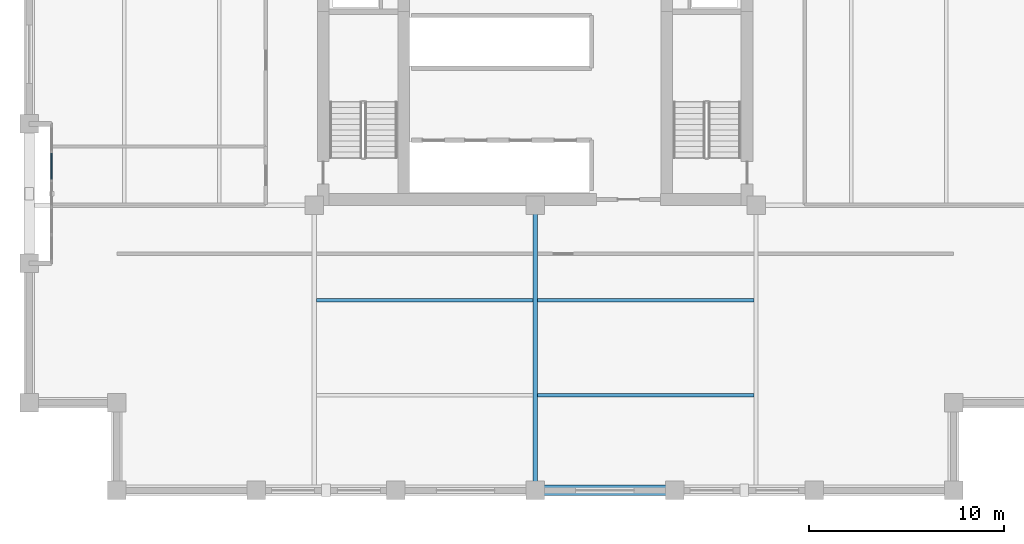
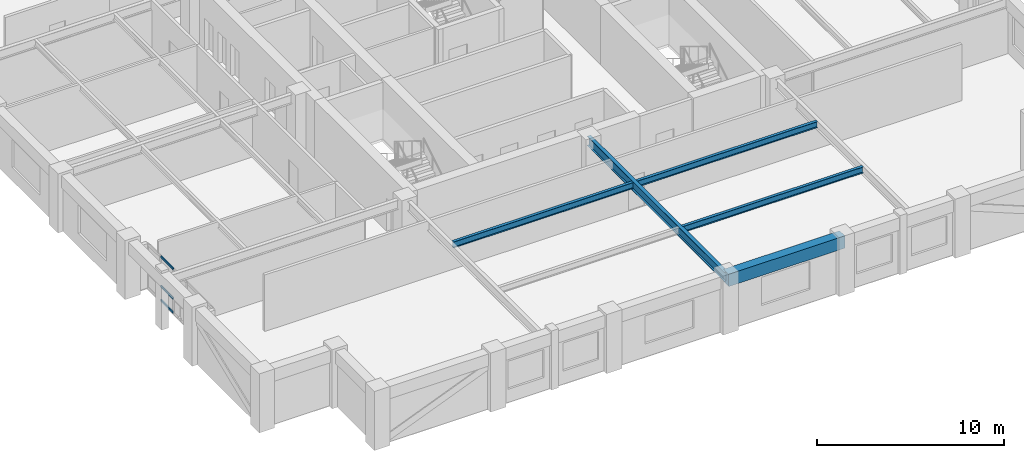
# One storey, part 3 of 11: 5 beams, 3 members, 1 element without a shape of its own.
"""IFC4 building model written with IfcOpenShell, lengths in metres."""

from ifc_helpers import new_model, si_unit, direction, frame, origin, origin_2d, place, context, subcontext, project, spatial, rectangle, i_section, extrude, material, layer, layer_set, material_profile, profile_set, type_object, element, aggregate, save


model = new_model("IFC4")

# Units and contexts
model_context = context("Model", 3, precision=1e-05, world=origin(), true_north=direction((0.0, 1.0)))
body_context = subcontext(model_context, "Body", "Model", "MODEL_VIEW")
ifc_project = project(units=[si_unit("LENGTHUNIT", "METRE"), si_unit("AREAUNIT", "SQUARE_METRE"), si_unit("VOLUMEUNIT", "CUBIC_METRE"), si_unit("PLANEANGLEUNIT", "RADIAN"), si_unit("MASSUNIT", "GRAM", prefix="KILO")], contexts=[model_context])

# Site, building, storey
site_placement = place(None, origin())
site = spatial("IfcSite", under=ifc_project, at=site_placement, CompositionType="ELEMENT")
building_placement = place(site_placement, origin())
building = spatial("IfcBuilding", under=site, at=building_placement, Name="Nhamokura Convention Tower", CompositionType="ELEMENT")
storey_placement = place(building_placement, frame((0.0, 0.0, 168.35009765625)))
storey = spatial("IfcBuildingStorey", under=building, at=storey_placement, Name="L41", CompositionType="ELEMENT", Elevation=168.35009765625)

# Curtain wall, members
ifc_material_1 = material(Name="Anodised bronze aluminium AA6063-T6", Category="aluminium")
ifc_layer = layer(ifc_material_1, 0.159912109375)
ifc_layer_set = layer_set([ifc_layer], Name="CWSystem_ScaleSlot_Zone2")
curtain_wall_type = type_object("IfcCurtainWallType", Name="CWSystem_ScaleSlot_Zone2", PredefinedType="NOTDEFINED", material=ifc_layer_set)
curtain_wall_placement = place(storey_placement, origin())
curtain_wall = element("IfcCurtainWall", 1, at=curtain_wall_placement, inside=storey, type_object=curtain_wall_type, Name="L41 Curtain Wall ENV-L41-SLOT-W1", PredefinedType="NOTDEFINED")
ifc_material_2 = material(Name="Anodised bronze aluminium AA6063-T6", Category="aluminium")
ifc_material_profile_1 = material_profile(ifc_material_2, rectangle(XDim=0.06494140625, YDim=0.139892578125, at=origin_2d()))
ifc_profile_set_1 = profile_set([ifc_material_profile_1], Name="Anodised bronze aluminium AA6063-T6")
member_type = type_object("IfcMemberType", Name="CWTransom_3", PredefinedType="USERDEFINED", material=ifc_profile_set_1)
member_1_placement = place(storey_placement, frame((7.14990234375, 21.987060546875, 0.032470703125), z_axis=(0.0, 1.0, 0.0), x_axis=(-1.0, 0.0, 0.0)))
member_1 = element("IfcMember", 2, at=member_1_placement, type_object=member_type, Name="CW-04 transom 4.1", ObjectType="TRANSOM", PredefinedType="USERDEFINED", context=body_context, shape_type="SweptSolid", body=[
    extrude(rectangle(XDim=0.06494140625, YDim=0.139892578125, at=origin_2d()), origin(), (0.0, 0.0, 1.0), 1.344482421875),
])
member_2_placement = place(storey_placement, frame((7.14990234375, 21.987060546875, 0.949951171875), z_axis=(0.0, 1.0, 0.0), x_axis=(-1.0, 0.0, 0.0)))
member_2 = element("IfcMember", 3, at=member_2_placement, type_object=member_type, Name="CW-04 transom 4.2", ObjectType="TRANSOM", PredefinedType="USERDEFINED", context=body_context, shape_type="SweptSolid", body=[
    extrude(rectangle(XDim=0.06494140625, YDim=0.139892578125, at=origin_2d()), origin(), (0.0, 0.0, 1.0), 1.344482421875),
])
member_3_placement = place(storey_placement, frame((7.14990234375, 21.987060546875, 2.852294921875), z_axis=(0.0, 1.0, 0.0), x_axis=(-1.0, 0.0, 0.0)))
member_3 = element("IfcMember", 4, at=member_3_placement, type_object=member_type, Name="CW-04 transom 4.3", ObjectType="TRANSOM", PredefinedType="USERDEFINED", context=body_context, shape_type="SweptSolid", body=[
    extrude(rectangle(XDim=0.06494140625, YDim=0.139892578125, at=origin_2d()), origin(), (0.0, 0.0, 1.0), 1.344482421875),
])
aggregate(curtain_wall, [member_1, member_2, member_3])

# Beams
ifc_material_3 = material(Name="Steel ASTM A992 Gr 50", Category="steel")
ifc_material_profile_2 = material_profile(ifc_material_3, i_section(OverallWidth=0.177001953125, OverallDepth=0.403076171875, WebThickness=0.007568359375, FlangeThickness=0.010986328125, at=origin_2d()))
ifc_profile_set_2 = profile_set([ifc_material_profile_2], Name="Steel ASTM A992 Gr 50")
beam_type_1 = type_object("IfcBeamType", Name="FloorJoist_W410X53", PredefinedType="JOIST", material=ifc_profile_set_2)
for number, where, z_axis, x_axis, name in (
    (5, (32.112060546875, 10.88330078125, 3.4833984375), (1.0, 0.0, 0.0), (0.0, 1.0, 0.0), "L41 Composite Floor Joist S1B"),
    (6, (20.761962890625, 15.7666015625, 3.4833984375), (1.0, 0.0, 0.0), (0.0, 1.0, 0.0), "L41 Composite Floor Joist S2A"),
    (7, (32.112060546875, 15.7666015625, 3.4833984375), (1.0, 0.0, 0.0), (0.0, 1.0, 0.0), "L41 Composite Floor Joist S2B"),
):
    element("IfcBeam", number, at=place(storey_placement, frame(where, z_axis=z_axis, x_axis=x_axis)), inside=storey, type_object=beam_type_1, Name=name, PredefinedType="JOIST", context=body_context, shape_type="SweptSolid", body=[
        extrude(i_section(OverallWidth=0.177001953125, OverallDepth=0.403076171875, WebThickness=0.007568359375, FlangeThickness=0.010986328125, at=origin_2d()), origin(), (0.0, 0.0, 1.0), 11.1259765625),
    ])
ifc_material_4 = material(Name="Steel ASTM A992 Gr 50", Category="steel")
ifc_material_profile_3 = material_profile(ifc_material_4, i_section(OverallWidth=0.22802734375, OverallDepth=0.60791015625, WebThickness=0.01123046875, FlangeThickness=0.017333984375, at=origin_2d()))
ifc_profile_set_3 = profile_set([ifc_material_profile_3], Name="Steel ASTM A992 Gr 50")
beam_type_2 = type_object("IfcBeamType", Name="PrimaryGirder_W610X113", PredefinedType="BEAM", material=ifc_profile_set_3)
beam_1_placement = place(storey_placement, frame((32.0, 6.0, 3.380859375), z_axis=(0.0, 1.0, 0.0), x_axis=(-1.0, 0.0, 0.0)))
element("IfcBeam", 8, at=beam_1_placement, inside=storey, type_object=beam_type_2, Name="L41 Primary Floor Girder PG-S2", PredefinedType="BEAM", context=body_context, shape_type="SweptSolid", body=[
    extrude(i_section(OverallWidth=0.22802734375, OverallDepth=0.60791015625, WebThickness=0.01123046875, FlangeThickness=0.017333984375, at=origin_2d()), origin(), (0.0, 0.0, 1.0), 14.64990234375),
])
ifc_material_5 = material(Name="Concrete C50/60", Category="concrete")
ifc_material_profile_4 = material_profile(ifc_material_5, rectangle(XDim=0.550048828125, YDim=0.800048828125, at=origin_2d()))
ifc_profile_set_4 = profile_set([ifc_material_profile_4], Name="Concrete C50/60")
beam_type_3 = type_object("IfcBeamType", Name="TubeSpandrel_800", PredefinedType="SPANDREL", material=ifc_profile_set_4)
beam_2_placement = place(storey_placement, frame((32.0, 6.0, 3.284912109375), z_axis=(1.0, 0.0, 0.0), x_axis=(0.0, 1.0, 0.0)))
element("IfcBeam", 9, at=beam_2_placement, inside=storey, type_object=beam_type_3, Name="L41 Perimeter Spandrel SOUTH 4", PredefinedType="SPANDREL", context=body_context, shape_type="SweptSolid", body=[
    extrude(rectangle(XDim=0.550048828125, YDim=0.800048828125, at=origin_2d()), origin(), (0.0, 0.0, 1.0), 7.166748046875),
])

save(model, "model.ifc")
